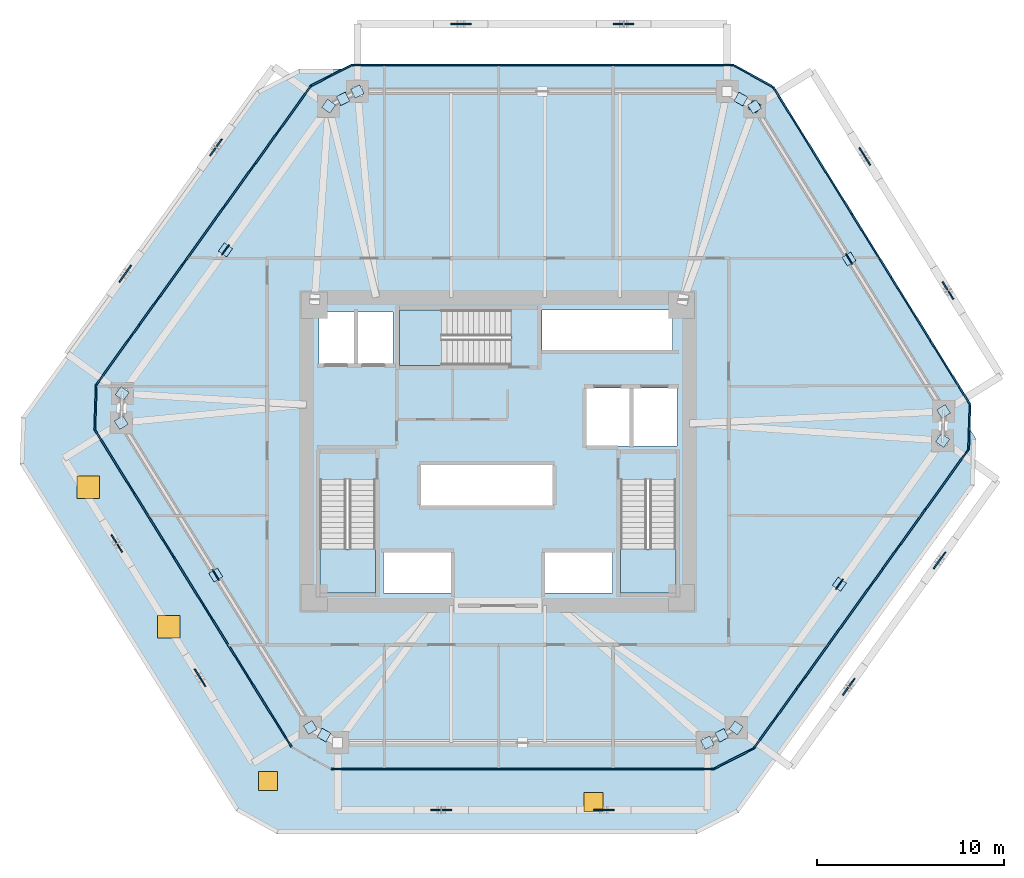
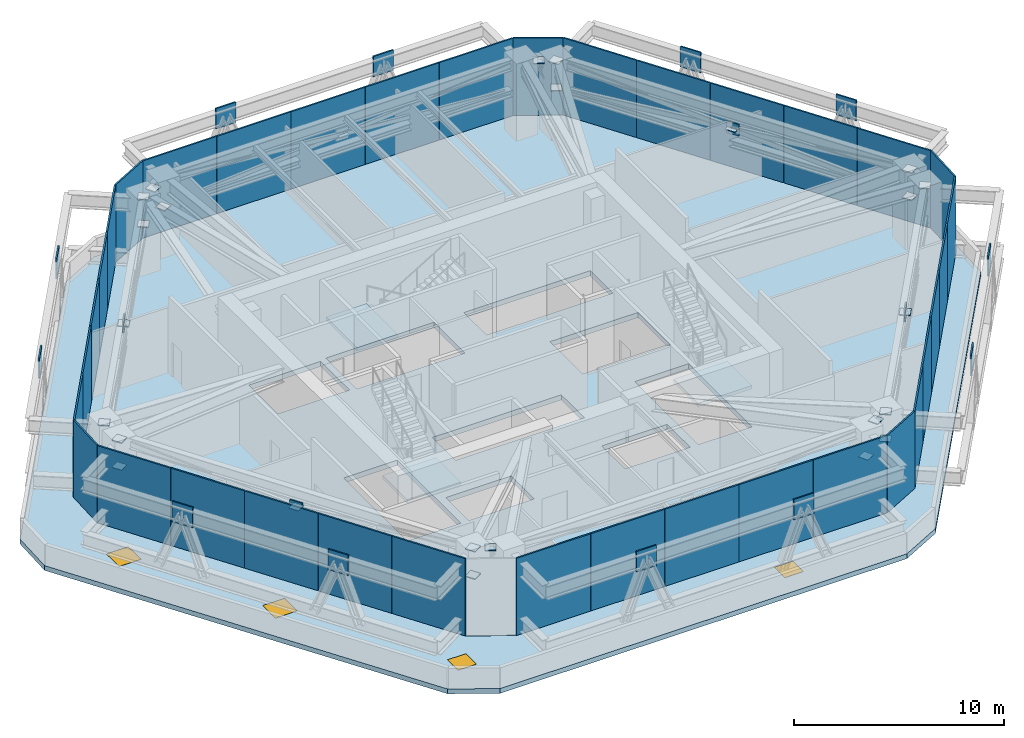
# One storey, part 4 of 10: 75 plates, 5 slabs, 2 doors, 2 windows, 4 openings, 3 elements without a shape of their own.
"""IFC4 building model written with IfcOpenShell, lengths in metres."""

from ifc_helpers import new_model, si_unit, direction, frame, origin, origin_2d, place, context, subcontext, project, spatial, polyline, rectangle, outline, extrude, source, transform, mapped, material, layer, layer_set, type_object, type_shapes, element, fill, aggregate, save


model = new_model("IFC4")

# Units and contexts
model_context = context("Model", 3, precision=1e-05, world=origin(), true_north=direction((0.0, 1.0)))
body_context = subcontext(model_context, "Body", "Model", "MODEL_VIEW")
ifc_project = project(units=[si_unit("LENGTHUNIT", "METRE"), si_unit("AREAUNIT", "SQUARE_METRE"), si_unit("VOLUMEUNIT", "CUBIC_METRE"), si_unit("PLANEANGLEUNIT", "RADIAN"), si_unit("MASSUNIT", "GRAM", prefix="KILO")], contexts=[model_context])

# Site, building, storey
site_placement = place(None, origin())
site = spatial("IfcSite", under=ifc_project, at=site_placement, CompositionType="ELEMENT")
building_placement = place(site_placement, origin())
building = spatial("IfcBuilding", under=site, at=building_placement, Name="Durnholm Broadcast Tower", CompositionType="ELEMENT")
storey_placement = place(building_placement, frame((0.0, 0.0, 88.5)))
storey = spatial("IfcBuildingStorey", under=building, at=storey_placement, Name="L23", CompositionType="ELEMENT", Elevation=88.5)

# Slab
ifc_material_1 = material(Name="Concrete C50/60", Category="concrete")
ifc_layer_1 = layer(ifc_material_1, 0.300048828125)
ifc_layer_set_1 = layer_set([ifc_layer_1], Name="Concrete C50/60")
slab_type_1 = type_object("IfcSlabType", Name="SLAB-FLR-300", PredefinedType="FLOOR", material=ifc_layer_set_1)
slab_1_placement = place(storey_placement, frame((0.0, 0.0, -0.300048828125)))
element("IfcSlab", 1, at=slab_1_placement, inside=storey, type_object=slab_type_1, Name="L23 structural floor slab", PredefinedType="FLOOR", context=body_context, shape_type="SweptSolid", body=[
    extrude(outline(polyline([(-11.012451171875, -15.77001953125), (-8.915283203125, -16.93701171875), (11.51416015625, -16.93701171875), (13.649658203125, -15.841796875), (25.11279296875, 0.114990234375), (25.1943359375, 2.513671875), (14.6904296875, 19.447998046875), (12.59326171875, 20.614990234375), (-7.836181640625, 20.614990234375), (-9.9716796875, 19.519775390625), (-21.434814453125, 3.56298828125), (-21.516357421875, 1.164306640625), (-11.012451171875, -15.77001953125)]), holes=[polyline([(-2.5, -5.35009765625), (-6.10009765625, -5.35009765625), (-6.10009765625, -7.550048828125), (-2.5, -7.550048828125), (-2.5, -5.35009765625)]), polyline([(6.10009765625, -5.35009765625), (2.5, -5.35009765625), (2.5, -7.550048828125), (6.10009765625, -7.550048828125), (6.10009765625, -5.35009765625)]), polyline([(-6.5400390625, -7.550048828125), (-6.5400390625, -1.5), (-9.5, -1.5), (-9.5, -7.550048828125), (-6.5400390625, -7.550048828125)]), polyline([(9.5, -7.550048828125), (9.5, -1.5), (6.5400390625, -1.5), (6.5400390625, -7.550048828125), (9.5, -7.550048828125)]), polyline([(2.949951171875, -0.699951171875), (-4.14990234375, -0.699951171875), (-4.14990234375, -2.89990234375), (2.949951171875, -2.89990234375), (2.949951171875, -0.699951171875)]), polyline([(9.550048828125, 3.39990234375), (4.699951171875, 3.39990234375), (4.699951171875, 0.300048828125), (9.550048828125, 0.300048828125), (9.550048828125, 3.39990234375)]), polyline([(-5.60009765625, 7.449951171875), (-9.550048828125, 7.449951171875), (-9.550048828125, 4.699951171875), (-5.60009765625, 4.699951171875), (-5.60009765625, 7.449951171875)]), polyline([(-5.25, 7.56005859375), (-5.25, 4.60009765625), (0.699951171875, 4.60009765625), (0.699951171875, 7.56005859375), (-5.25, 7.56005859375)]), polyline([(9.31005859375, 5.39990234375), (9.31005859375, 7.550048828125), (2.35009765625, 7.550048828125), (2.35009765625, 5.39990234375), (9.31005859375, 5.39990234375)])]), origin(), (0.0, 0.0, 1.0), 0.300048828125),
])

# Stair, slab
stair_type = type_object("IfcStairType", Name="STAIR-DL-28R1714", PredefinedType="HALF_TURN_STAIR", material=ifc_material_1)
stair_1_placement = place(storey_placement, origin())
stair_1 = element("IfcStair", 2, at=stair_1_placement, inside=storey, type_object=stair_type, Name="L23 ST-1", PredefinedType="HALF_TURN_STAIR")
ifc_layer_2 = layer(ifc_material_1, 0.199951171875)
ifc_layer_set_2 = layer_set([ifc_layer_2], Name="Concrete C50/60")
slab_type_2 = type_object("IfcSlabType", Name="SLAB-LND-200", PredefinedType="LANDING", material=ifc_layer_set_2)
slab_2_placement = place(storey_placement, frame((0.0, 0.0, 2.199951171875)))
slab_2 = element("IfcSlab", 3, at=slab_2_placement, type_object=slab_type_2, Name="ST-1 landing 1", PredefinedType="LANDING", context=body_context, shape_type="SweptSolid", body=[
    extrude(outline(polyline([(-9.5, -5.205078125), (-9.5, -7.550048828125), (-6.5400390625, -7.550048828125), (-6.5400390625, -5.205078125), (-9.5, -5.205078125)])), origin(), (0.0, 0.0, 1.0), 0.199951171875),
])
aggregate(stair_1, [slab_2])

stair_2_placement = place(storey_placement, origin())
stair_2 = element("IfcStair", 4, at=stair_2_placement, inside=storey, type_object=stair_type, Name="L23 ST-2", PredefinedType="HALF_TURN_STAIR")
slab_3_placement = place(storey_placement, frame((0.0, 0.0, 2.199951171875)))
slab_3 = element("IfcSlab", 5, at=slab_3_placement, type_object=slab_type_2, Name="ST-2 landing 1", PredefinedType="LANDING", context=body_context, shape_type="SweptSolid", body=[
    extrude(outline(polyline([(6.5400390625, -5.205078125), (6.5400390625, -7.550048828125), (9.5, -7.550048828125), (9.5, -5.205078125), (6.5400390625, -5.205078125)])), origin(), (0.0, 0.0, 1.0), 0.199951171875),
])
aggregate(stair_2, [slab_3])

stair_3_placement = place(storey_placement, origin())
stair_3 = element("IfcStair", 6, at=stair_3_placement, inside=storey, type_object=stair_type, Name="L23 ST-3", PredefinedType="HALF_TURN_STAIR")
slab_4_placement = place(storey_placement, frame((0.0, 0.0, 2.199951171875)))
slab_4 = element("IfcSlab", 7, at=slab_4_placement, type_object=slab_type_2, Name="ST-3 landing 1", PredefinedType="LANDING", context=body_context, shape_type="SweptSolid", body=[
    extrude(outline(polyline([(-3.0048828125, 7.56005859375), (-5.25, 7.56005859375), (-5.25, 4.60009765625), (-3.0048828125, 4.60009765625), (-3.0048828125, 7.56005859375)])), origin(), (0.0, 0.0, 1.0), 0.199951171875),
])
aggregate(stair_3, [slab_4])

# Slab, openings, doors, windows
ifc_layer_3 = layer(ifc_material_1, 0.280029296875)
ifc_layer_set_3 = layer_set([ifc_layer_3], Name="Concrete C50/60")
slab_type_3 = type_object("IfcSlabType", Name="SLAB-ROOF-280", PredefinedType="ROOF", material=ifc_layer_set_3)
slab_5_placement = place(storey_placement, frame((0.0, 0.0, -0.280029296875)))
slab_5 = element("IfcSlab", 8, at=slab_5_placement, inside=storey, type_object=slab_type_3, Name="L23 setback roof slab 1", PredefinedType="ROOF", context=body_context, shape_type="SweptSolid", body=[
    extrude(outline(polyline([(25.50439453125, 0.677978515625), (25.1796875, 1.199462890625), (25.142822265625, 0.114013671875), (25.142578125, 0.111083984375), (25.14208984375, 0.108154296875), (25.141357421875, 0.105224609375), (25.14013671875, 0.1025390625), (25.138916015625, 0.10009765625), (25.13720703125, 0.097412109375), (13.674072265625, -15.859130859375), (13.67236328125, -15.861328125), (13.67041015625, -15.863525390625), (13.668212890625, -15.865234375), (13.666015625, -15.866943359375), (13.663330078125, -15.868408203125), (11.52783203125, -16.963623046875), (11.525390625, -16.96484375), (11.522705078125, -16.9658203125), (11.52001953125, -16.966552734375), (11.51708984375, -16.966796875), (11.51416015625, -16.967041015625), (-8.915283203125, -16.967041015625), (-8.918212890625, -16.966796875), (-8.92138671875, -16.96630859375), (-8.92431640625, -16.965576171875), (-8.927001953125, -16.964599609375), (-8.9296875, -16.963134765625), (-11.027099609375, -15.796142578125), (-11.029541015625, -15.794677734375), (-11.031982421875, -15.792724609375), (-11.0341796875, -15.79052734375), (-11.0361328125, -15.788330078125), (-11.037841796875, -15.785888671875), (-21.541748046875, 1.148681640625), (-21.543212890625, 1.151123046875), (-21.54443359375, 1.15380859375), (-21.54541015625, 1.15673828125), (-21.5458984375, 1.159423828125), (-21.546142578125, 1.16259765625), (-21.54638671875, 1.165283203125), (-21.46484375, 3.56396484375), (-21.464599609375, 3.56689453125), (-21.464111328125, 3.56982421875), (-21.46337890625, 3.57275390625), (-21.462158203125, 3.575439453125), (-21.4609375, 3.577880859375), (-21.459228515625, 3.58056640625), (-9.99609375, 19.537109375), (-9.994384765625, 19.539306640625), (-9.9921875, 19.54150390625), (-9.990234375, 19.543212890625), (-9.98779296875, 19.544921875), (-9.9853515625, 19.54638671875), (-8.321044921875, 20.39990234375), (-10.6201171875, 20.39990234375), (-12.845703125, 19.260986328125), (-25.419921875, 1.820556640625), (-25.50439453125, -0.677978515625), (-13.9794921875, -19.186279296875), (-11.793701171875, -20.39990234375), (10.6201171875, -20.39990234375), (12.845703125, -19.260986328125), (25.419921875, -1.820556640625), (25.50439453125, 0.677978515625)])), origin(), (0.0, 0.0, 1.0), 0.280029296875),
])
opening_1_placement = place(slab_5_placement, frame((-17.56005859375, -9.361083984375, -0.010009765625)))
opening_1 = element("IfcOpeningElement", 9, at=opening_1_placement, cuts=slab_5, Name="Opening SK1", PredefinedType="OPENING", context=body_context, shape_type="SweptSolid", body=[
    extrude(rectangle(XDim=1.199951171875, YDim=1.199951171875, at=origin_2d()), origin(), (0.0, 0.0, 1.0), 0.300048828125),
])
opening_2_placement = place(slab_5_placement, frame((-21.865966796875, -1.9150390625, -0.010009765625)))
opening_2 = element("IfcOpeningElement", 10, at=opening_2_placement, cuts=slab_5, Name="Opening SK2", PredefinedType="OPENING", context=body_context, shape_type="SweptSolid", body=[
    extrude(rectangle(XDim=1.199951171875, YDim=1.199951171875, at=origin_2d()), origin(), (0.0, 0.0, 1.0), 0.300048828125),
])
opening_3_placement = place(slab_5_placement, frame((-12.26806640625, -17.576904296875, -0.010009765625)))
opening_3 = element("IfcOpeningElement", 11, at=opening_3_placement, cuts=slab_5, Name="Opening DT-RF", PredefinedType="OPENING", context=body_context, shape_type="SweptSolid", body=[
    extrude(rectangle(XDim=1.0, YDim=1.0, at=origin_2d()), origin(), (0.0, 0.0, 1.0), 0.300048828125),
])
opening_4_placement = place(slab_5_placement, frame((5.093017578125, -18.705078125, -0.010009765625)))
opening_4 = element("IfcOpeningElement", 12, at=opening_4_placement, cuts=slab_5, Name="Opening DT-RF", PredefinedType="OPENING", context=body_context, shape_type="SweptSolid", body=[
    extrude(rectangle(XDim=1.0, YDim=1.0, at=origin_2d()), origin(), (0.0, 0.0, 1.0), 0.300048828125),
])
ifc_material_2 = material(Name="Anodised Aluminium and Laminated Safety Glass", Category="aluminium")
ifc_layer_4 = layer(ifc_material_2, 0.050048828125)
ifc_layer_set_4 = layer_set([ifc_layer_4], Name="Anodised Aluminium and Laminated Safety Glass")
door_type = type_object("IfcDoorType", Name="DOOR-TRAP-RF", OperationType="SINGLE_SWING_LEFT", PredefinedType="TRAPDOOR", material=ifc_layer_set_4)
door_1_placement = place(opening_3_placement, frame((0.0, 0.0, 0.239990234375)))
door_1 = element("IfcDoor", 13, at=door_1_placement, inside=storey, type_object=door_type, Name="L23 setback roof maintenance access hatch 3", OperationType="SINGLE_SWING_LEFT", OverallHeight=1.0, OverallWidth=1.0, PredefinedType="TRAPDOOR", context=body_context, shape_type="SweptSolid", body=[
    extrude(rectangle(XDim=1.0, YDim=1.0, at=origin_2d()), origin(), (0.0, 0.0, 1.0), 0.050048828125),
])
fill(opening_3, door_1)
door_2_placement = place(opening_4_placement, frame((0.0, 0.0, 0.239990234375)))
door_2 = element("IfcDoor", 14, at=door_2_placement, inside=storey, type_object=door_type, Name="L23 setback roof maintenance access hatch 4", OperationType="SINGLE_SWING_LEFT", OverallHeight=1.0, OverallWidth=1.0, PredefinedType="TRAPDOOR", context=body_context, shape_type="SweptSolid", body=[
    extrude(rectangle(XDim=1.0, YDim=1.0, at=origin_2d()), origin(), (0.0, 0.0, 1.0), 0.050048828125),
])
fill(opening_4, door_2)
ifc_material_3 = material(Name="Thermally Broken Aluminium and Laminated Glass", Category="aluminium")
ifc_layer_5 = layer(ifc_material_3, 0.06005859375)
ifc_layer_set_5 = layer_set([ifc_layer_5], Name="Thermally Broken Aluminium and Laminated Glass")
window_type_1 = type_object("IfcWindowType", Name="WIN-SK1", PartitioningType="SINGLE_PANEL", PredefinedType="SKYLIGHT", material=ifc_layer_set_5)
window_1_placement = place(opening_1_placement, frame((0.0, 0.0, 0.239990234375)))
window_1 = element("IfcWindow", 15, at=window_1_placement, inside=storey, type_object=window_type_1, Name="L23 setback roof daylight skylight 1", OverallHeight=1.199951171875, OverallWidth=1.199951171875, PartitioningType="SINGLE_PANEL", PredefinedType="SKYLIGHT", context=body_context, shape_type="SweptSolid", body=[
    extrude(rectangle(XDim=1.199951171875, YDim=1.199951171875, at=origin_2d()), origin(), (0.0, 0.0, 1.0), 0.050048828125),
])
fill(opening_1, window_1)
ifc_layer_6 = layer(ifc_material_3, 0.06005859375)
ifc_layer_set_6 = layer_set([ifc_layer_6], Name="Thermally Broken Aluminium and Laminated Glass")
window_type_2 = type_object("IfcWindowType", Name="WIN-SK2", PartitioningType="SINGLE_PANEL", PredefinedType="SKYLIGHT", material=ifc_layer_set_6)
window_2_placement = place(opening_2_placement, frame((0.0, 0.0, 0.239990234375)))
window_2 = element("IfcWindow", 16, at=window_2_placement, inside=storey, type_object=window_type_2, Name="L23 setback roof daylight skylight 2", OverallHeight=1.199951171875, OverallWidth=1.199951171875, PartitioningType="SINGLE_PANEL", PredefinedType="SKYLIGHT", context=body_context, shape_type="SweptSolid", body=[
    extrude(rectangle(XDim=1.199951171875, YDim=1.199951171875, at=origin_2d()), origin(), (0.0, 0.0, 1.0), 0.050048828125),
])
fill(opening_2, window_2)

# Plates
ifc_material_4 = material(Name="Steel ASTM A572 Grade 50", Category="steel")
ifc_layer_7 = layer(ifc_material_4, 0.0400390625)
ifc_layer_set_7 = layer_set([ifc_layer_7], Name="Steel ASTM A572 Grade 50")
plate_type_1 = type_object("IfcPlateType", Name="PLT-KN-CAP", PredefinedType="USERDEFINED", material=ifc_layer_set_7)
shared_shape_1 = source(origin(), body_context, "Body", "SweptSolid", [
    extrude(rectangle(XDim=0.5400390625, YDim=0.5400390625, at=origin_2d()), origin(), (0.0, 0.0, 1.0), 0.0400390625),
])
type_shapes(plate_type_1, [shared_shape_1])
for number, where, z_axis, x_axis, name in (
    (17, (-10.01416015625, -14.723388671875, 2.530029296875), (0.0, 0.0, 1.0), (-0.527104121728, 0.849800708906, 0.0), "L23 hollow section end cap plate BT-CH-L23-01 1"),
    (18, (-20.102783203125, 1.54150390625, 2.530029296875), (0.0, 0.0, 1.0), (-0.527104121728, 0.849800708906, 0.0), "L23 hollow section end cap plate BT-CH-L23-01 2"),
    (19, (-20.102783203125, 1.54150390625, 4.1298828125), (0.0, 0.0, 1.0), (-0.527104121728, 0.849800708906, 0.0), "L23 hollow section end cap plate BT-XCONT-L23-01 2"),
    (20, (-15.05859375, -6.591064453125, 3.330078125), (0.0, 0.0, 1.0), (0.527104121728, -0.849800708906, 0.0), "L23 hollow section end cap plate BT-XSPLIT-L23-01-1 2"),
    (21, (-10.01416015625, -14.723388671875, 4.1298828125), (0.0, 0.0, 1.0), (0.527104121728, -0.849800708906, 0.0), "L23 hollow section end cap plate BT-XSPLIT-L23-01-2 2"),
    (22, (-9.031982421875, 18.42822265625, 2.530029296875), (0.0, 0.0, 1.0), (0.583399467156, 0.812185361677, 0.0), "L23 hollow section end cap plate BT-CH-L23-03 2"),
    (23, (-9.031982421875, 18.42822265625, 4.1298828125), (0.0, 0.0, 1.0), (0.583399467156, 0.812185361677, 0.0), "L23 hollow section end cap plate BT-XCONT-L23-03 2"),
    (24, (-14.541015625, 10.759765625, 3.330078125), (0.0, 0.0, 1.0), (-0.583399467156, -0.812185361677, 0.0), "L23 hollow section end cap plate BT-XSPLIT-L23-03-1 2"),
    (25, (-20.050048828125, 3.091064453125, 4.1298828125), (0.0, 0.0, 1.0), (-0.583399467156, -0.812185361677, 0.0), "L23 hollow section end cap plate BT-XSPLIT-L23-03-2 2"),
    (26, (-7.498046875, 19.215087890625, 2.530029296875), (0.0, 0.0, 1.0), (0.889814927768, 0.4563215909, 0.0), "L23 hollow section end cap plate BT-CH-L23-04 2"),
    (27, (-8.264892578125, 18.821533203125, 4.1298828125), (0.0, 0.0, 1.0), (0.889814927768, 0.4563215909, 0.0), "L23 hollow section end cap plate BT-BR-L23-04-1 2"),
    (28, (13.692138671875, 18.4013671875, 2.530029296875), (0.0, 0.0, 1.0), (0.873857091263, -0.486182870995, 0.0), "L23 hollow section end cap plate BT-CH-L23-06 2"),
    (29, (12.961181640625, 18.80810546875, 4.1298828125), (0.0, 0.0, 1.0), (0.873772223035, -0.486335380423, 0.0), "L23 hollow section end cap plate BT-BR-L23-06-1 2"),
    (30, (23.78076171875, 2.13671875, 2.530029296875), (0.0, 0.0, 1.0), (0.527104121728, -0.849800708906, 0.0), "L23 hollow section end cap plate BT-CH-L23-07 2"),
    (31, (23.78076171875, 2.13671875, 4.1298828125), (0.0, 0.0, 1.0), (0.527104121728, -0.849800708906, 0.0), "L23 hollow section end cap plate BT-XCONT-L23-07 2"),
    (32, (18.736328125, 10.26904296875, 3.330078125), (0.0, 0.0, 1.0), (-0.527104121728, 0.849800708906, 0.0), "L23 hollow section end cap plate BT-XSPLIT-L23-07-1 2"),
    (33, (13.692138671875, 18.4013671875, 4.1298828125), (0.0, 0.0, 1.0), (-0.527104121728, 0.849800708906, 0.0), "L23 hollow section end cap plate BT-XSPLIT-L23-07-2 2"),
    (34, (12.7099609375, -14.750244140625, 2.530029296875), (0.0, 0.0, 1.0), (-0.583399467156, -0.812185361677, 0.0), "L23 hollow section end cap plate BT-CH-L23-09 2"),
    (35, (12.7099609375, -14.750244140625, 4.1298828125), (0.0, 0.0, 1.0), (-0.583399467156, -0.812185361677, 0.0), "L23 hollow section end cap plate BT-XCONT-L23-09 2"),
    (36, (18.218994140625, -7.081787109375, 3.330078125), (0.0, 0.0, 1.0), (0.583399467156, 0.812185361677, 0.0), "L23 hollow section end cap plate BT-XSPLIT-L23-09-1 2"),
    (37, (23.72802734375, 0.5869140625, 4.1298828125), (0.0, 0.0, 1.0), (0.583399467156, 0.812185361677, 0.0), "L23 hollow section end cap plate BT-XSPLIT-L23-09-2 2"),
    (38, (11.176025390625, -15.537109375, 2.530029296875), (0.0, 0.0, 1.0), (-0.889814927768, -0.4563215909, 0.0), "L23 hollow section end cap plate BT-CH-L23-10 2"),
    (39, (11.943115234375, -15.143798828125, 4.1298828125), (0.0, 0.0, 1.0), (-0.889735271073, -0.456476885952, 0.0), "L23 hollow section end cap plate BT-BR-L23-10-1 2"),
    (40, (-9.282958984375, -15.130126953125, 4.1298828125), (0.0, 0.0, 1.0), (-0.873857091263, 0.486182870995, 0.0), "L23 hollow section end cap plate BT-BR-L23-12-1 2"),
):
    element("IfcPlate", number, at=place(storey_placement, frame(where, z_axis=z_axis, x_axis=x_axis)), inside=storey, type_object=plate_type_1, Name=name, ObjectType="CAP_PLATE", PredefinedType="USERDEFINED", context=body_context, shape_type="MappedRepresentation", body=[
        mapped(shared_shape_1, transform((0.0, 0.0, 0.0), x_axis=(1.0, 0.0, 0.0), y_axis=(0.0, 1.0, 0.0), z_axis=(0.0, 0.0, 1.0), scale=1.0)),
    ])
ifc_material_5 = material(Name="ASTM A572 Grade 50 Steel", Category="steel")
ifc_layer_8 = layer(ifc_material_5, 0.06005859375)
ifc_layer_set_8 = layer_set([ifc_layer_8], Name="ASTM A572 Grade 50 Steel")
plate_type_2 = type_object("IfcPlateType", Name="PLT-KN-X1", PredefinedType="USERDEFINED", material=ifc_layer_set_8)
shared_shape_2 = source(origin(), body_context, "Body", "SweptSolid", [
    extrude(rectangle(XDim=0.679931640625, YDim=0.06005859375, at=origin_2d()), origin(), (0.0, 0.0, 1.0), 0.679931640625),
])
type_shapes(plate_type_2, [shared_shape_2])
for number, where, z_axis, x_axis, name in (
    (41, (-15.05859375, -6.591064453125, 3.01025390625), (0.0, 0.0, 1.0), (-0.527104121728, 0.849800708906, 0.0), "L23 belt-truss X-brace crossing gusset plate 01"),
    (42, (-14.541015625, 10.759765625, 3.01025390625), (0.0, 0.0, 1.0), (0.583399467156, 0.812185361677, 0.0), "L23 belt-truss X-brace crossing gusset plate 03"),
    (43, (18.736328125, 10.26904296875, 3.01025390625), (0.0, 0.0, 1.0), (0.527104121728, -0.849800708906, 0.0), "L23 belt-truss X-brace crossing gusset plate 07"),
    (44, (18.218994140625, -7.081787109375, 3.01025390625), (0.0, 0.0, 1.0), (-0.583399467156, -0.812185361677, 0.0), "L23 belt-truss X-brace crossing gusset plate 09"),
):
    element("IfcPlate", number, at=place(storey_placement, frame(where, z_axis=z_axis, x_axis=x_axis)), inside=storey, type_object=plate_type_2, Name=name, ObjectType="GUSSET_PLATE", PredefinedType="USERDEFINED", context=body_context, shape_type="MappedRepresentation", body=[
        mapped(shared_shape_2, transform((0.0, 0.0, 0.0), x_axis=(1.0, 0.0, 0.0), y_axis=(0.0, 1.0, 0.0), z_axis=(0.0, 0.0, 1.0), scale=1.0)),
    ])
ifc_layer_9 = layer(ifc_material_4, 0.074951171875)
ifc_layer_set_9 = layer_set([ifc_layer_9], Name="Steel ASTM A572 Grade 50")
plate_type_3 = type_object("IfcPlateType", Name="PLT-KN06-GUS", PredefinedType="USERDEFINED", material=ifc_layer_set_9)
shared_shape_3 = source(origin(), body_context, "Body", "SweptSolid", [
    extrude(rectangle(XDim=1.10009765625, YDim=0.074951171875, at=origin_2d()), origin(), (0.0, 0.0, 1.0), 1.199951171875),
])
type_shapes(plate_type_3, [shared_shape_3])
for number, where, z_axis, x_axis, name in (
    (45, (-3.028076171875, -19.136962890625, 3.1484375), (0.0, 0.0, 1.0), (1.0, 0.0, 0.0), "L23 welded diagrid node gusset plate KN06 F1"),
    (46, (5.65234375, -19.136962890625, 3.1484375), (0.0, 0.0, 1.0), (1.0, 0.0, 0.0), "L23 welded diagrid node gusset plate KN06 F1"),
    (47, (18.71875, -12.556396484375, 3.1484375), (0.0, 0.0, 1.0), (0.583399467156, 0.812185361677, 0.0), "L23 welded diagrid node gusset plate KN06 F2"),
    (48, (23.56689453125, -5.807861328125, 3.1484375), (0.0, 0.0, 1.0), (0.583399467156, 0.812185361677, 0.0), "L23 welded diagrid node gusset plate KN06 F2"),
    (49, (24.01513671875, 8.58837890625, 3.1484375), (0.0, 0.0, 1.0), (-0.527104121728, 0.849800708906, 0.0), "L23 welded diagrid node gusset plate KN06 F3"),
    (50, (19.576416015625, 15.74462890625, 3.1484375), (0.0, 0.0, 1.0), (-0.527104121728, 0.849800708906, 0.0), "L23 welded diagrid node gusset plate KN06 F3"),
    (51, (6.7060546875, 22.81494140625, 3.1484375), (0.0, 0.0, 1.0), (-1.0, 0.0, 0.0), "L23 welded diagrid node gusset plate KN06 F4"),
    (52, (-1.974365234375, 22.81494140625, 3.1484375), (0.0, 0.0, 1.0), (-1.0, 0.0, 0.0), "L23 welded diagrid node gusset plate KN06 F4"),
    (53, (-15.040771484375, 16.234375, 3.1484375), (0.0, 0.0, 1.0), (-0.583399467156, -0.812185361677, 0.0), "L23 welded diagrid node gusset plate KN06 F5"),
    (54, (-19.888916015625, 9.48583984375, 3.1484375), (0.0, 0.0, 1.0), (-0.583399467156, -0.812185361677, 0.0), "L23 welded diagrid node gusset plate KN06 F5"),
    (55, (-20.337158203125, -4.910400390625, 3.1484375), (0.0, 0.0, 1.0), (0.527104121728, -0.849800708906, 0.0), "L23 welded diagrid node gusset plate KN06 F6"),
    (56, (-15.898193359375, -12.066650390625, 3.1484375), (0.0, 0.0, 1.0), (0.527104121728, -0.849800708906, 0.0), "L23 welded diagrid node gusset plate KN06 F6"),
):
    element("IfcPlate", number, at=place(storey_placement, frame(where, z_axis=z_axis, x_axis=x_axis)), inside=storey, type_object=plate_type_3, Name=name, ObjectType="GUSSET_PLATE", PredefinedType="USERDEFINED", context=body_context, shape_type="MappedRepresentation", body=[
        mapped(shared_shape_3, transform((0.0, 0.0, 0.0), x_axis=(1.0, 0.0, 0.0), y_axis=(0.0, 1.0, 0.0), z_axis=(0.0, 0.0, 1.0), scale=1.0)),
    ])
ifc_material_6 = material(Name="Anodised Architectural Aluminium Louvre Screen", Category="aluminium")
ifc_layer_10 = layer(ifc_material_6, 0.0849609375)
ifc_layer_set_10 = layer_set([ifc_layer_10], Name="Anodised Architectural Aluminium Louvre Screen")
plate_type_4 = type_object("IfcPlateType", Name="PLT-CROWN-SCR", PredefinedType="USERDEFINED", material=ifc_layer_set_10)
shared_shape_4 = source(origin(), body_context, "Body", "SweptSolid", [
    extrude(rectangle(XDim=2.3798828125, YDim=0.0849609375, at=origin_2d()), origin(), (0.0, 0.0, 1.0), 4.5),
])
for number, where, z_axis, x_axis, name in (
    (57, (-21.4755859375, 2.36376953125, 0.0), (0.0, 0.0, 1.0), (0.033852918131, 0.999426825703, 0.0), "L23 mechanical louvre screen panel SCR-L23-F01.1"),
    (58, (-8.904052734375, 20.0673828125, 0.0), (0.0, 0.0, 1.0), (0.889814927768, 0.4563215909, 0.0), "L23 mechanical louvre screen panel SCR-L23-F03.1"),
    (59, (13.641845703125, 20.031494140625, 0.0), (0.0, 0.0, 1.0), (0.873857091263, -0.486182870995, 0.0), "L23 mechanical louvre screen panel SCR-L23-F05.1"),
    (60, (25.153564453125, 1.314208984375, 0.0), (0.0, 0.0, 1.0), (-0.033852918131, -0.999426825703, 0.0), "L23 mechanical louvre screen panel SCR-L23-F07.1"),
    (61, (12.581787109375, -16.389404296875, 0.0), (0.0, 0.0, 1.0), (-0.889814927768, -0.4563215909, 0.0), "L23 mechanical louvre screen panel SCR-L23-F09.1"),
):
    element("IfcPlate", number, at=place(storey_placement, frame(where, z_axis=z_axis, x_axis=x_axis)), inside=storey, type_object=plate_type_4, Name=name, ObjectType="SCREEN", PredefinedType="USERDEFINED", context=body_context, shape_type="MappedRepresentation", body=[
        mapped(shared_shape_4, transform((0.0, 0.0, 0.0), x_axis=(1.0, 0.0, 0.0), y_axis=(0.0, 1.0, 0.0), z_axis=(0.0, 0.0, 1.0), scale=1.0)),
    ])
shared_shape_5 = source(origin(), body_context, "Body", "SweptSolid", [
    extrude(rectangle(XDim=3.909423828125, YDim=0.0849609375, at=origin_2d()), origin(), (0.0, 0.0, 1.0), 4.5),
])
for number, where, z_axis, x_axis, name in (
    (62, (-20.28857421875, 5.15869140625, 0.0), (0.0, 0.0, 1.0), (0.583399467156, 0.812185361677, 0.0), "L23 mechanical louvre screen panel SCR-L23-F02.1"),
    (63, (-17.995849609375, 8.35009765625, 0.0), (0.0, 0.0, 1.0), (0.583399467156, 0.812185361677, 0.0), "L23 mechanical louvre screen panel SCR-L23-F02.2"),
    (64, (-15.703369140625, 11.541259765625, 0.0), (0.0, 0.0, 1.0), (0.583399467156, 0.812185361677, 0.0), "L23 mechanical louvre screen panel SCR-L23-F02.3"),
    (65, (-13.41064453125, 14.732666015625, 0.0), (0.0, 0.0, 1.0), (0.583399467156, 0.812185361677, 0.0), "L23 mechanical louvre screen panel SCR-L23-F02.4"),
    (66, (-11.117919921875, 17.924072265625, 0.0), (0.0, 0.0, 1.0), (0.583399467156, 0.812185361677, 0.0), "L23 mechanical louvre screen panel SCR-L23-F02.5"),
    (67, (23.966552734375, -1.480712890625, 0.0), (0.0, 0.0, 1.0), (-0.583399467156, -0.812185361677, 0.0), "L23 mechanical louvre screen panel SCR-L23-F08.1"),
    (68, (21.673828125, -4.672119140625, 0.0), (0.0, 0.0, 1.0), (-0.583399467156, -0.812185361677, 0.0), "L23 mechanical louvre screen panel SCR-L23-F08.2"),
    (69, (19.38134765625, -7.86328125, 0.0), (0.0, 0.0, 1.0), (-0.583399467156, -0.812185361677, 0.0), "L23 mechanical louvre screen panel SCR-L23-F08.3"),
    (70, (17.088623046875, -11.0546875, 0.0), (0.0, 0.0, 1.0), (-0.583399467156, -0.812185361677, 0.0), "L23 mechanical louvre screen panel SCR-L23-F08.4"),
    (71, (14.7958984375, -14.24609375, 0.0), (0.0, 0.0, 1.0), (-0.583399467156, -0.812185361677, 0.0), "L23 mechanical louvre screen panel SCR-L23-F08.5"),
):
    element("IfcPlate", number, at=place(storey_placement, frame(where, z_axis=z_axis, x_axis=x_axis)), inside=storey, type_object=plate_type_4, Name=name, ObjectType="SCREEN", PredefinedType="USERDEFINED", context=body_context, shape_type="MappedRepresentation", body=[
        mapped(shared_shape_5, transform((0.0, 0.0, 0.0), x_axis=(1.0, 0.0, 0.0), y_axis=(0.0, 1.0, 0.0), z_axis=(0.0, 0.0, 1.0), scale=1.0)),
    ])
shared_shape_6 = source(origin(), body_context, "Body", "SweptSolid", [
    extrude(rectangle(XDim=4.06591796875, YDim=0.0849609375, at=origin_2d()), origin(), (0.0, 0.0, 1.0), 4.5),
])
for number, where, z_axis, x_axis, name in (
    (72, (-5.793212890625, 20.614990234375, 0.0), (0.0, 0.0, 1.0), (1.0, 0.0, 0.0), "L23 mechanical louvre screen panel SCR-L23-F04.1"),
    (73, (-1.70751953125, 20.614990234375, 0.0), (0.0, 0.0, 1.0), (1.0, 0.0, 0.0), "L23 mechanical louvre screen panel SCR-L23-F04.2"),
    (74, (2.37841796875, 20.614990234375, 0.0), (0.0, 0.0, 1.0), (1.0, 0.0, 0.0), "L23 mechanical louvre screen panel SCR-L23-F04.3"),
    (75, (6.46435546875, 20.614990234375, 0.0), (0.0, 0.0, 1.0), (1.0, 0.0, 0.0), "L23 mechanical louvre screen panel SCR-L23-F04.4"),
    (76, (10.55029296875, 20.614990234375, 0.0), (0.0, 0.0, 1.0), (1.0, 0.0, 0.0), "L23 mechanical louvre screen panel SCR-L23-F04.5"),
    (77, (9.47119140625, -16.93701171875, 0.0), (0.0, 0.0, 1.0), (-1.0, 0.0, 0.0), "L23 mechanical louvre screen panel SCR-L23-F10.1"),
    (78, (5.385498046875, -16.93701171875, 0.0), (0.0, 0.0, 1.0), (-1.0, 0.0, 0.0), "L23 mechanical louvre screen panel SCR-L23-F10.2"),
    (79, (1.299560546875, -16.93701171875, 0.0), (0.0, 0.0, 1.0), (-1.0, 0.0, 0.0), "L23 mechanical louvre screen panel SCR-L23-F10.3"),
    (80, (-2.786376953125, -16.93701171875, 0.0), (0.0, 0.0, 1.0), (-1.0, 0.0, 0.0), "L23 mechanical louvre screen panel SCR-L23-F10.4"),
    (81, (-6.872314453125, -16.93701171875, 0.0), (0.0, 0.0, 1.0), (-1.0, 0.0, 0.0), "L23 mechanical louvre screen panel SCR-L23-F10.5"),
):
    element("IfcPlate", number, at=place(storey_placement, frame(where, z_axis=z_axis, x_axis=x_axis)), inside=storey, type_object=plate_type_4, Name=name, ObjectType="SCREEN", PredefinedType="USERDEFINED", context=body_context, shape_type="MappedRepresentation", body=[
        mapped(shared_shape_6, transform((0.0, 0.0, 0.0), x_axis=(1.0, 0.0, 0.0), y_axis=(0.0, 1.0, 0.0), z_axis=(0.0, 0.0, 1.0), scale=1.0)),
    ])
shared_shape_7 = source(origin(), body_context, "Body", "SweptSolid", [
    extrude(rectangle(XDim=3.965576171875, YDim=0.0849609375, at=origin_2d()), origin(), (0.0, 0.0, 1.0), 4.5),
])
type_shapes(plate_type_4, [shared_shape_4, shared_shape_5, shared_shape_6, shared_shape_7])
for number, where, z_axis, x_axis, name in (
    (82, (15.74072265625, 17.754638671875, 0.0), (0.0, 0.0, 1.0), (0.527104121728, -0.849800708906, 0.0), "L23 mechanical louvre screen panel SCR-L23-F06.1"),
    (83, (17.841552734375, 14.36767578125, 0.0), (0.0, 0.0, 1.0), (0.527104121728, -0.849800708906, 0.0), "L23 mechanical louvre screen panel SCR-L23-F06.2"),
    (84, (19.9423828125, 10.980712890625, 0.0), (0.0, 0.0, 1.0), (0.527104121728, -0.849800708906, 0.0), "L23 mechanical louvre screen panel SCR-L23-F06.3"),
    (85, (22.043212890625, 7.593994140625, 0.0), (0.0, 0.0, 1.0), (0.527104121728, -0.849800708906, 0.0), "L23 mechanical louvre screen panel SCR-L23-F06.4"),
    (86, (24.143798828125, 4.20703125, 0.0), (0.0, 0.0, 1.0), (0.527104121728, -0.849800708906, 0.0), "L23 mechanical louvre screen panel SCR-L23-F06.5"),
    (87, (-12.062744140625, -14.07666015625, 0.0), (0.0, 0.0, 1.0), (-0.527104121728, 0.849800708906, 0.0), "L23 mechanical louvre screen panel SCR-L23-F12.1"),
    (88, (-14.16357421875, -10.689697265625, 0.0), (0.0, 0.0, 1.0), (-0.527104121728, 0.849800708906, 0.0), "L23 mechanical louvre screen panel SCR-L23-F12.2"),
    (89, (-16.264404296875, -7.302734375, 0.0), (0.0, 0.0, 1.0), (-0.527104121728, 0.849800708906, 0.0), "L23 mechanical louvre screen panel SCR-L23-F12.3"),
    (90, (-18.364990234375, -3.916015625, 0.0), (0.0, 0.0, 1.0), (-0.527104121728, 0.849800708906, 0.0), "L23 mechanical louvre screen panel SCR-L23-F12.4"),
    (91, (-20.4658203125, -0.529052734375, 0.0), (0.0, 0.0, 1.0), (-0.527104121728, 0.849800708906, 0.0), "L23 mechanical louvre screen panel SCR-L23-F12.5"),
):
    element("IfcPlate", number, at=place(storey_placement, frame(where, z_axis=z_axis, x_axis=x_axis)), inside=storey, type_object=plate_type_4, Name=name, ObjectType="SCREEN", PredefinedType="USERDEFINED", context=body_context, shape_type="MappedRepresentation", body=[
        mapped(shared_shape_7, transform((0.0, 0.0, 0.0), x_axis=(1.0, 0.0, 0.0), y_axis=(0.0, 1.0, 0.0), z_axis=(0.0, 0.0, 1.0), scale=1.0)),
    ])

save(model, "model.ifc")
